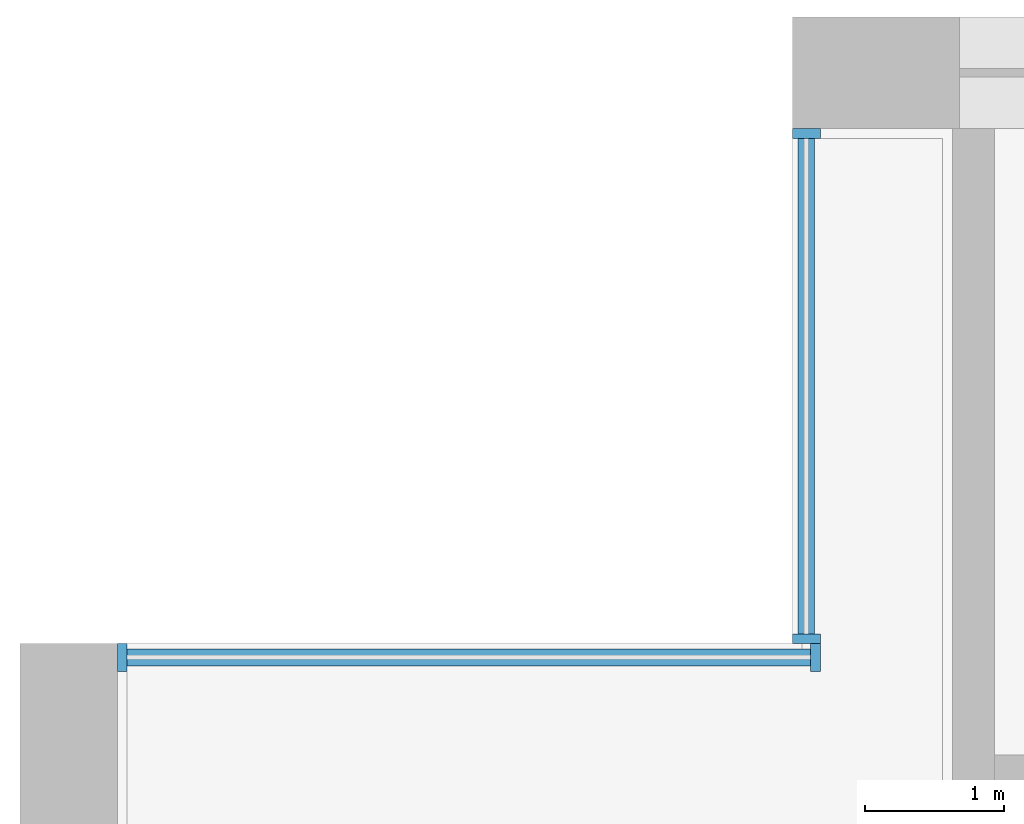
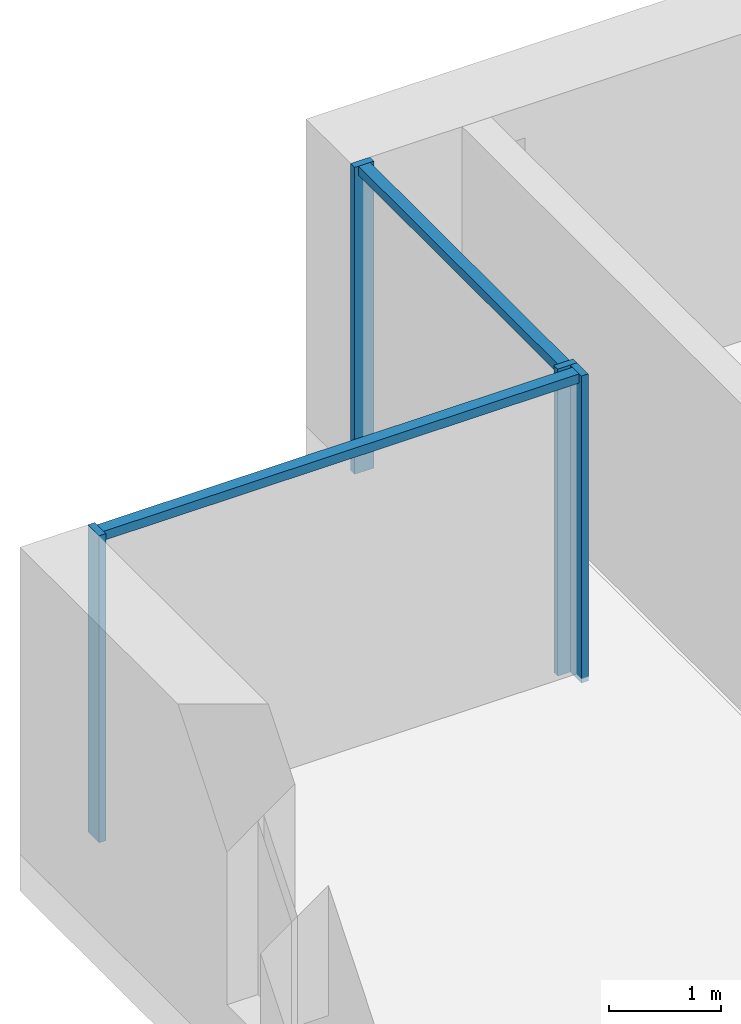
# One storey, part 4 of 15: 6 members, 2 elements without a shape of their own.
"""IFC4 building model written with IfcOpenShell, lengths in metres."""

from ifc_helpers import new_model, si_unit, direction, frame, origin, origin_2d, place, context, subcontext, project, spatial, rectangle, extrude, material, material_profile, profile_set, type_object, element, aggregate, save


model = new_model("IFC4")

# Units and contexts
model_context = context("Model", 3, precision=1e-05, world=origin(), true_north=direction((0.0, 1.0)))
body_context = subcontext(model_context, "Body", "Model", "MODEL_VIEW")
ifc_project = project(units=[si_unit("LENGTHUNIT", "METRE"), si_unit("AREAUNIT", "SQUARE_METRE"), si_unit("VOLUMEUNIT", "CUBIC_METRE"), si_unit("PLANEANGLEUNIT", "RADIAN"), si_unit("MASSUNIT", "GRAM", prefix="KILO")], contexts=[model_context])

# Site, building, storey
site_placement = place(None, origin())
site = spatial("IfcSite", under=ifc_project, at=site_placement, CompositionType="ELEMENT")
building_placement = place(site_placement, origin())
building = spatial("IfcBuilding", under=site, at=building_placement, Name="Calvaro Tower", CompositionType="ELEMENT")
storey_placement = place(building_placement, frame((0.0, 0.0, 143.75)))
storey = spatial("IfcBuildingStorey", under=building, at=storey_placement, Name="L36", CompositionType="ELEMENT", Elevation=143.75)

# Curtain wall, members
ifc_material_1 = material(Name="Anodised aluminium", Category="aluminium")
curtain_wall_type = type_object("IfcCurtainWallType", Name="Office curtain wall, middle zone", PredefinedType="NOTDEFINED", material=ifc_material_1)
curtain_wall_1_placement = place(storey_placement, origin())
curtain_wall_1 = element("IfcCurtainWall", 1, at=curtain_wall_1_placement, inside=storey, type_object=curtain_wall_type, Name="CW2 corner curtain wall", PredefinedType="NOTDEFINED")
ifc_material_2 = material(Name="Anodised aluminium", Category="aluminium")
ifc_material_profile_1 = material_profile(ifc_material_2, rectangle(XDim=0.199951171875, YDim=0.070068359375, at=origin_2d()), Name="Mullion S2 70 x 200")
ifc_profile_set_1 = profile_set([ifc_material_profile_1], Name="Anodised aluminium")
member_type_1 = type_object("IfcMemberType", Name="Mullion S2 70 x 200", PredefinedType="MULLION", material=ifc_profile_set_1)
member_1_placement = place(storey_placement, frame((5.64990234375, 41.534912109375, 0.0), z_axis=(0.0, 0.0, 1.0), x_axis=(-1.0, 0.0, 0.0)))
member_1 = element("IfcMember", 2, at=member_1_placement, type_object=member_type_1, Name="CW2 mullion 1", PredefinedType="MULLION", context=body_context, shape_type="SweptSolid", body=[
    extrude(rectangle(XDim=0.199951171875, YDim=0.070068359375, at=origin_2d()), origin(), (0.0, 0.0, 1.0), 3.35009765625),
])
member_2_placement = place(storey_placement, frame((5.64990234375, 45.1650390625, 0.0), z_axis=(0.0, 0.0, 1.0), x_axis=(-1.0, 0.0, 0.0)))
member_2 = element("IfcMember", 3, at=member_2_placement, type_object=member_type_1, Name="CW2 mullion 2", PredefinedType="MULLION", context=body_context, shape_type="SweptSolid", body=[
    extrude(rectangle(XDim=0.199951171875, YDim=0.070068359375, at=origin_2d()), origin(), (0.0, 0.0, 1.0), 3.35009765625),
])

curtain_wall_2_placement = place(storey_placement, origin())
curtain_wall_2 = element("IfcCurtainWall", 4, at=curtain_wall_2_placement, inside=storey, type_object=curtain_wall_type, Name="CW2 corner curtain wall", PredefinedType="NOTDEFINED")
member_3_placement = place(storey_placement, frame((0.735107421875, 41.39990234375, 0.0), z_axis=(0.0, 0.0, 1.0), x_axis=(0.0, 1.0, 0.0)))
member_3 = element("IfcMember", 5, at=member_3_placement, type_object=member_type_1, Name="CW2 mullion 1", PredefinedType="MULLION", context=body_context, shape_type="SweptSolid", body=[
    extrude(rectangle(XDim=0.199951171875, YDim=0.070068359375, at=origin_2d()), origin(), (0.0, 0.0, 1.0), 3.35009765625),
])
member_4_placement = place(storey_placement, frame((5.715087890625, 41.39990234375, 0.0), z_axis=(0.0, 0.0, 1.0), x_axis=(0.0, 1.0, 0.0)))
member_4 = element("IfcMember", 6, at=member_4_placement, type_object=member_type_1, Name="CW2 mullion 2", PredefinedType="MULLION", context=body_context, shape_type="SweptSolid", body=[
    extrude(rectangle(XDim=0.199951171875, YDim=0.070068359375, at=origin_2d()), origin(), (0.0, 0.0, 1.0), 3.35009765625),
])

# Member
ifc_material_3 = material(Name="Anodised aluminium", Category="aluminium")
ifc_material_profile_2 = material_profile(ifc_material_3, rectangle(XDim=0.1201171875, YDim=0.10009765625, at=origin_2d()), Name="Transom S2 100 x 120")
ifc_profile_set_2 = profile_set([ifc_material_profile_2], Name="Anodised aluminium")
member_type_2 = type_object("IfcMemberType", Name="Transom S2 100 x 120", PredefinedType="USERDEFINED", material=ifc_profile_set_2)
member_5_placement = place(storey_placement, frame((5.64990234375, 41.570068359375, 3.300048828125), z_axis=(0.0, 1.0, 0.0), x_axis=(-1.0, 0.0, 0.0)))
member_5 = element("IfcMember", 7, at=member_5_placement, type_object=member_type_2, Name="CW2 transom 1.1", ObjectType="TRANSOM", PredefinedType="USERDEFINED", context=body_context, shape_type="SweptSolid", body=[
    extrude(rectangle(XDim=0.1201171875, YDim=0.10009765625, at=origin_2d()), origin(), (0.0, 0.0, 1.0), 3.559814453125),
])

aggregate(curtain_wall_1, [member_1, member_2, member_5])

member_6_placement = place(storey_placement, frame((0.77001953125, 41.39990234375, 3.300048828125), z_axis=(1.0, 0.0, 0.0), x_axis=(0.0, 1.0, 0.0)))
member_6 = element("IfcMember", 8, at=member_6_placement, type_object=member_type_2, Name="CW2 transom 1.1", ObjectType="TRANSOM", PredefinedType="USERDEFINED", context=body_context, shape_type="SweptSolid", body=[
    extrude(rectangle(XDim=0.1201171875, YDim=0.10009765625, at=origin_2d()), origin(), (0.0, 0.0, 1.0), 4.909912109375),
])

aggregate(curtain_wall_2, [member_3, member_4, member_6])

save(model, "model.ifc")
